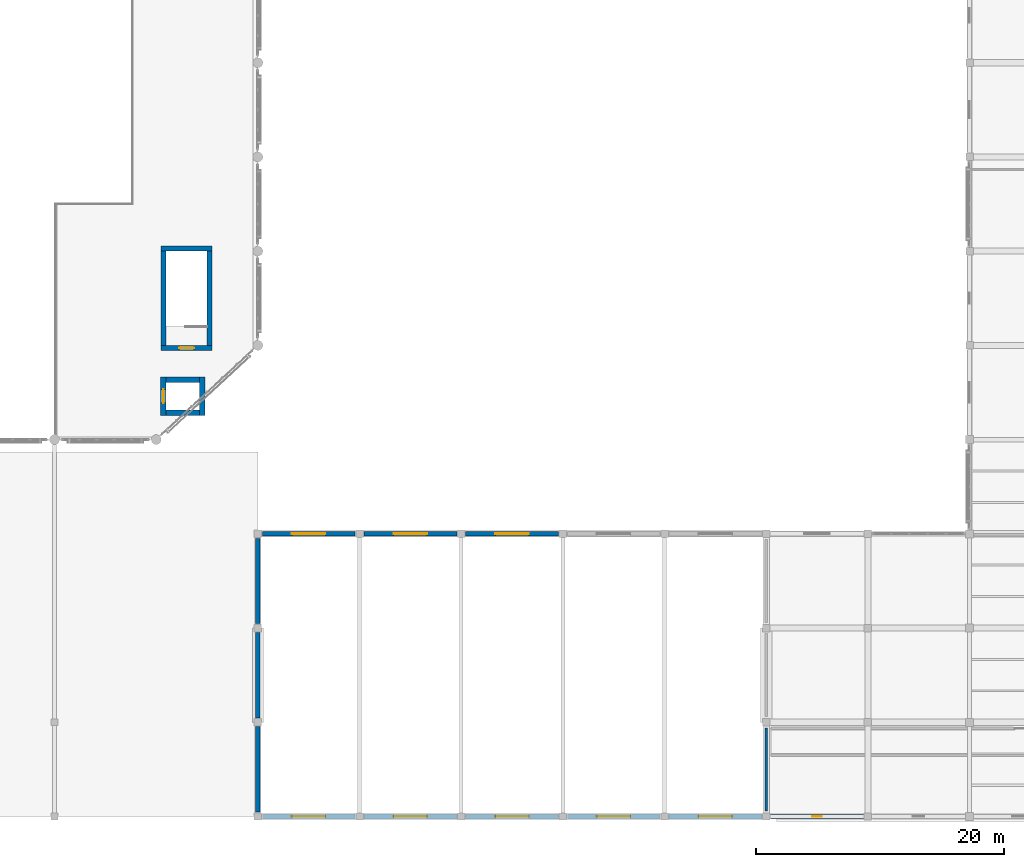
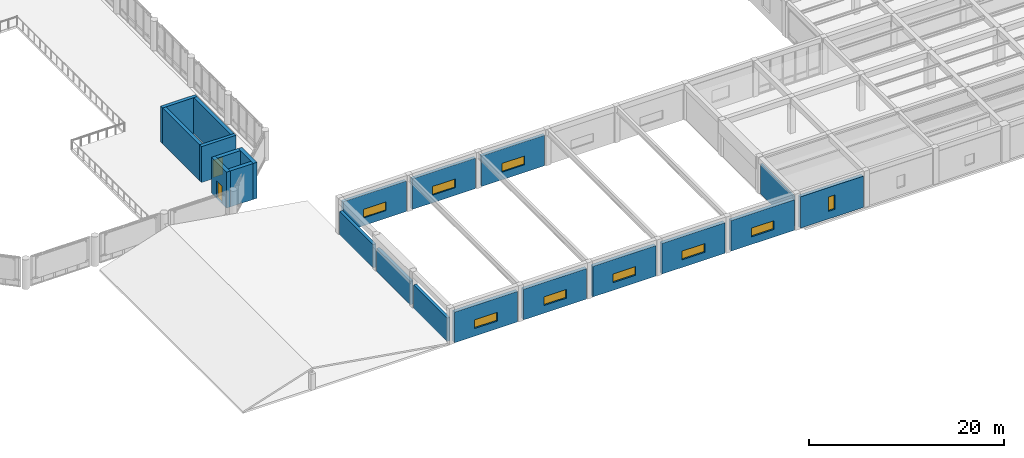
# One storey, part 34 of 49: 21 walls, 9 windows, 2 doors, 11 openings.
"""IFC4 building model written with IfcOpenShell, lengths in metres."""

from ifc_helpers import new_model, si_unit, direction, frame, frame_2d, origin, place, context, subcontext, project, spatial, rectangle, extrude, material, layer, layer_set, type_object, element, fill, save


model = new_model("IFC4")

# Units and contexts
model_context = context("Model", 3, precision=1e-05, world=origin(), true_north=direction((0.0, 1.0)))
body_context = subcontext(model_context, "Body", "Model", "MODEL_VIEW")
ifc_project = project(units=[si_unit("LENGTHUNIT", "METRE"), si_unit("AREAUNIT", "SQUARE_METRE"), si_unit("VOLUMEUNIT", "CUBIC_METRE"), si_unit("PLANEANGLEUNIT", "RADIAN"), si_unit("MASSUNIT", "GRAM", prefix="KILO")], contexts=[model_context])

# Site, building, storey
site_placement = place(None, origin())
site = spatial("IfcSite", under=ifc_project, at=site_placement, CompositionType="ELEMENT")
building_placement = place(site_placement, origin())
building = spatial("IfcBuilding", under=site, at=building_placement, Name="Qandaris Square Conservatory and Botanical Centre", CompositionType="ELEMENT")
storey_placement = place(building_placement, frame((0.0, 0.0, 10.199951171875)))
storey = spatial("IfcBuildingStorey", under=building, at=storey_placement, Name="L02", CompositionType="ELEMENT", Elevation=10.199951171875)

# Wall, opening, window
ifc_material_1 = material(Name="Precast concrete C40/50", Category="concrete")
ifc_layer_1 = layer(ifc_material_1, 0.360107421875)
ifc_layer_set_1 = layer_set([ifc_layer_1], Name="Precast concrete C40/50")
wall_type_1 = type_object("IfcWallType", Name="Architectural Precast Cladding Wall 360mm", PredefinedType="SOLIDWALL", material=ifc_layer_set_1)
wall_1_placement = place(storey_placement, frame((81.43994140625, 39.39990234375, 0.0), z_axis=(0.0, 0.0, 1.0), x_axis=(-1.0, 0.0, 0.0)))
wall_1 = element("IfcWall", 1, at=wall_1_placement, inside=storey, type_object=wall_type_1, Name="Exterior Wall EW-V2-L02-3-3", PredefinedType="SOLIDWALL", context=body_context, shape_type="SweptSolid", body=[
    extrude(rectangle(XDim=7.47998046875, YDim=0.360107421875, at=frame_2d((3.739990234375, 0.0))), origin(), (0.0, 0.0, 1.0), 3.830078125),
])
opening_1_placement = place(wall_1_placement, frame((2.389892578125, 0.0, 0.949951171875)))
opening_1 = element("IfcOpeningElement", 2, at=opening_1_placement, cuts=wall_1, Name="Opening WN-06", PredefinedType="OPENING", context=body_context, shape_type="SweptSolid", body=[
    extrude(rectangle(XDim=2.699951171875, YDim=1.10009765625, at=frame_2d((1.35009765625, 0.550048828125))), frame((0.0, 0.19189453125, 0.0), z_axis=(0.0, -1.0, 0.0), x_axis=(1.0, 0.0, 0.0)), (0.0, 0.0, 1.0), 0.384033203125),
])
ifc_material_2 = material(Name="Tempered Low-E Glass", Category="glass")
window_type_1 = type_object("IfcWindowType", Name="Podium Clerestory Window 2700x1100", PartitioningType="DOUBLE_PANEL_HORIZONTAL", PredefinedType="WINDOW", material=ifc_material_2)
window_1_placement = place(opening_1_placement, origin())
window_1 = element("IfcWindow", 3, at=window_1_placement, inside=storey, type_object=window_type_1, Name="Window EW-V2-L02-3-3", OverallHeight=1.10009765625, OverallWidth=2.699951171875, PartitioningType="DOUBLE_PANEL_HORIZONTAL", PredefinedType="WINDOW", context=body_context, shape_type="SweptSolid", body=[
    extrude(rectangle(XDim=2.699951171875, YDim=1.10009765625, at=frame_2d((1.35009765625, 0.550048828125))), frame((0.0, 0.030029296875, 0.0), z_axis=(0.0, -1.0, 0.0), x_axis=(1.0, 0.0, 0.0)), (0.0, 0.0, 1.0), 0.06005859375),
])
fill(opening_1, window_1)

wall_2_placement = place(storey_placement, frame((73.239990234375, 39.39990234375, 0.0), z_axis=(0.0, 0.0, 1.0), x_axis=(-1.0, 0.0, 0.0)))
wall_2 = element("IfcWall", 4, at=wall_2_placement, inside=storey, type_object=wall_type_1, Name="Exterior Wall EW-V2-L02-3-4", PredefinedType="SOLIDWALL", context=body_context, shape_type="SweptSolid", body=[
    extrude(rectangle(XDim=7.47998046875, YDim=0.360107421875, at=frame_2d((3.739990234375, 0.0))), origin(), (0.0, 0.0, 1.0), 3.830078125),
])
opening_2_placement = place(wall_2_placement, frame((2.389892578125, 0.0, 0.949951171875)))
opening_2 = element("IfcOpeningElement", 5, at=opening_2_placement, cuts=wall_2, Name="Opening WN-06", PredefinedType="OPENING", context=body_context, shape_type="SweptSolid", body=[
    extrude(rectangle(XDim=2.699951171875, YDim=1.10009765625, at=frame_2d((1.35009765625, 0.550048828125))), frame((0.0, 0.19189453125, 0.0), z_axis=(0.0, -1.0, 0.0), x_axis=(1.0, 0.0, 0.0)), (0.0, 0.0, 1.0), 0.384033203125),
])
window_2_placement = place(opening_2_placement, origin())
window_2 = element("IfcWindow", 6, at=window_2_placement, inside=storey, type_object=window_type_1, Name="Window EW-V2-L02-3-4", OverallHeight=1.10009765625, OverallWidth=2.699951171875, PartitioningType="DOUBLE_PANEL_HORIZONTAL", PredefinedType="WINDOW", context=body_context, shape_type="SweptSolid", body=[
    extrude(rectangle(XDim=2.699951171875, YDim=1.10009765625, at=frame_2d((1.35009765625, 0.550048828125))), frame((0.0, 0.030029296875, 0.0), z_axis=(0.0, -1.0, 0.0), x_axis=(1.0, 0.0, 0.0)), (0.0, 0.0, 1.0), 0.06005859375),
])
fill(opening_2, window_2)

wall_3_placement = place(storey_placement, frame((65.0400390625, 39.39990234375, 0.0), z_axis=(0.0, 0.0, 1.0), x_axis=(-1.0, 0.0, 0.0)))
wall_3 = element("IfcWall", 7, at=wall_3_placement, inside=storey, type_object=wall_type_1, Name="Exterior Wall EW-V2-L02-3-5", PredefinedType="SOLIDWALL", context=body_context, shape_type="SweptSolid", body=[
    extrude(rectangle(XDim=7.47998046875, YDim=0.360107421875, at=frame_2d((3.739990234375, 0.0))), origin(), (0.0, 0.0, 1.0), 3.830078125),
])
opening_3_placement = place(wall_3_placement, frame((2.389892578125, 0.0, 0.949951171875)))
opening_3 = element("IfcOpeningElement", 8, at=opening_3_placement, cuts=wall_3, Name="Opening WN-06", PredefinedType="OPENING", context=body_context, shape_type="SweptSolid", body=[
    extrude(rectangle(XDim=2.699951171875, YDim=1.10009765625, at=frame_2d((1.35009765625, 0.550048828125))), frame((0.0, 0.19189453125, 0.0), z_axis=(0.0, -1.0, 0.0), x_axis=(1.0, 0.0, 0.0)), (0.0, 0.0, 1.0), 0.384033203125),
])
window_3_placement = place(opening_3_placement, origin())
window_3 = element("IfcWindow", 9, at=window_3_placement, inside=storey, type_object=window_type_1, Name="Window EW-V2-L02-3-5", OverallHeight=1.10009765625, OverallWidth=2.699951171875, PartitioningType="DOUBLE_PANEL_HORIZONTAL", PredefinedType="WINDOW", context=body_context, shape_type="SweptSolid", body=[
    extrude(rectangle(XDim=2.699951171875, YDim=1.10009765625, at=frame_2d((1.35009765625, 0.550048828125))), frame((0.0, 0.030029296875, 0.0), z_axis=(0.0, -1.0, 0.0), x_axis=(1.0, 0.0, 0.0)), (0.0, 0.0, 1.0), 0.06005859375),
])
fill(opening_3, window_3)

# Walls
wall_4_placement = place(storey_placement, frame((57.199951171875, 39.0400390625, 0.0), z_axis=(0.0, 0.0, 1.0), x_axis=(0.0, -1.0, 0.0)))
element("IfcWall", 10, at=wall_4_placement, inside=storey, type_object=wall_type_1, Name="Exterior Wall EW-V2-L02-4-1", PredefinedType="SOLIDWALL", context=body_context, shape_type="SweptSolid", body=[
    extrude(rectangle(XDim=6.880126953125, YDim=0.360107421875, at=frame_2d((3.43994140625, 0.0))), origin(), (0.0, 0.0, 1.0), 2.929931640625),
])
wall_5_placement = place(storey_placement, frame((57.199951171875, 31.43994140625, 0.0), z_axis=(0.0, 0.0, 1.0), x_axis=(0.0, -1.0, 0.0)))
element("IfcWall", 11, at=wall_5_placement, inside=storey, type_object=wall_type_1, Name="Exterior Wall EW-V2-L02-4-2", PredefinedType="SOLIDWALL", context=body_context, shape_type="SweptSolid", body=[
    extrude(rectangle(XDim=6.8798828125, YDim=0.360107421875, at=frame_2d((3.43994140625, 0.0))), origin(), (0.0, 0.0, 1.0), 2.929931640625),
])
wall_6_placement = place(storey_placement, frame((57.199951171875, 23.840087890625, 0.0), z_axis=(0.0, 0.0, 1.0), x_axis=(0.0, -1.0, 0.0)))
element("IfcWall", 12, at=wall_6_placement, inside=storey, type_object=wall_type_1, Name="Exterior Wall EW-V2-L02-4-3", PredefinedType="SOLIDWALL", context=body_context, shape_type="SweptSolid", body=[
    extrude(rectangle(XDim=6.880126953125, YDim=0.360107421875, at=frame_2d((3.43994140625, 0.0))), origin(), (0.0, 0.0, 1.0), 2.929931640625),
])
ifc_material_3 = material(Name="Concrete C40/50", Category="concrete")
ifc_layer_2 = layer(ifc_material_3, 0.199951171875)
ifc_layer_set_2 = layer_set([ifc_layer_2], Name="Concrete C40/50")
wall_type_2 = type_object("IfcWallType", Name="Herbarium & Plant Compartment Wall 200mm", PredefinedType="PARTITIONING", material=ifc_layer_set_2)
wall_7_placement = place(storey_placement, frame((98.199951171875, 17.050048828125, 0.0), z_axis=(0.0, 0.0, 1.0), x_axis=(0.0, 1.0, 0.0)))
element("IfcWall", 13, at=wall_7_placement, inside=storey, type_object=wall_type_2, Name="Compartment Wall PW-V2V4-L02-1", PredefinedType="PARTITIONING", context=body_context, shape_type="SweptSolid", body=[
    extrude(rectangle(XDim=6.699951171875, YDim=0.199951171875, at=frame_2d((3.35009765625, 0.0))), origin(), (0.0, 0.0, 1.0), 3.795166015625),
])

# Wall, opening, window
ifc_layer_3 = layer(ifc_material_3, 0.419921875)
ifc_layer_set_3 = layer_set([ifc_layer_3], Name="Concrete C40/50")
wall_type_3 = type_object("IfcWallType", Name="Insulated Qatari Limestone Cavity Wall 420mm", PredefinedType="SOLIDWALL", material=ifc_layer_set_3)
wall_8_placement = place(storey_placement, frame((57.56005859375, 16.60009765625, 0.0), z_axis=(0.0, 0.0, 1.0), x_axis=(1.0, 0.0, 0.0)))
wall_8 = element("IfcWall", 14, at=wall_8_placement, inside=storey, type_object=wall_type_3, Name="Exterior Wall EW-V2-L02-1-1", PredefinedType="SOLIDWALL", context=body_context, shape_type="SweptSolid", body=[
    extrude(rectangle(XDim=7.47998046875, YDim=0.419921875, at=frame_2d((3.739990234375, 0.0))), origin(), (0.0, 0.0, 1.0), 3.830078125),
])
opening_4_placement = place(wall_8_placement, frame((2.389892578125, 0.0, 0.949951171875)))
opening_4 = element("IfcOpeningElement", 15, at=opening_4_placement, cuts=wall_8, Name="Opening WN-06", PredefinedType="OPENING", context=body_context, shape_type="SweptSolid", body=[
    extrude(rectangle(XDim=2.699951171875, YDim=1.10009765625, at=frame_2d((1.35009765625, 0.550048828125))), frame((0.0, 0.221923828125, 0.0), z_axis=(0.0, -1.0, 0.0), x_axis=(1.0, 0.0, 0.0)), (0.0, 0.0, 1.0), 0.44384765625),
])
window_4_placement = place(opening_4_placement, origin())
window_4 = element("IfcWindow", 16, at=window_4_placement, inside=storey, type_object=window_type_1, Name="Window EW-V2-L02-1-1", OverallHeight=1.10009765625, OverallWidth=2.699951171875, PartitioningType="DOUBLE_PANEL_HORIZONTAL", PredefinedType="WINDOW", context=body_context, shape_type="SweptSolid", body=[
    extrude(rectangle(XDim=2.699951171875, YDim=1.10009765625, at=frame_2d((1.35009765625, 0.550048828125))), frame((0.0, 0.030029296875, 0.0), z_axis=(0.0, -1.0, 0.0), x_axis=(1.0, 0.0, 0.0)), (0.0, 0.0, 1.0), 0.06005859375),
])
fill(opening_4, window_4)

wall_9_placement = place(storey_placement, frame((65.760009765625, 16.60009765625, 0.0), z_axis=(0.0, 0.0, 1.0), x_axis=(1.0, 0.0, 0.0)))
wall_9 = element("IfcWall", 17, at=wall_9_placement, inside=storey, type_object=wall_type_3, Name="Exterior Wall EW-V2-L02-1-2", PredefinedType="SOLIDWALL", context=body_context, shape_type="SweptSolid", body=[
    extrude(rectangle(XDim=7.47998046875, YDim=0.419921875, at=frame_2d((3.739990234375, 0.0))), origin(), (0.0, 0.0, 1.0), 3.830078125),
])
opening_5_placement = place(wall_9_placement, frame((2.389892578125, 0.0, 0.949951171875)))
opening_5 = element("IfcOpeningElement", 18, at=opening_5_placement, cuts=wall_9, Name="Opening WN-06", PredefinedType="OPENING", context=body_context, shape_type="SweptSolid", body=[
    extrude(rectangle(XDim=2.699951171875, YDim=1.10009765625, at=frame_2d((1.35009765625, 0.550048828125))), frame((0.0, 0.221923828125, 0.0), z_axis=(0.0, -1.0, 0.0), x_axis=(1.0, 0.0, 0.0)), (0.0, 0.0, 1.0), 0.44384765625),
])
window_5_placement = place(opening_5_placement, origin())
window_5 = element("IfcWindow", 19, at=window_5_placement, inside=storey, type_object=window_type_1, Name="Window EW-V2-L02-1-2", OverallHeight=1.10009765625, OverallWidth=2.699951171875, PartitioningType="DOUBLE_PANEL_HORIZONTAL", PredefinedType="WINDOW", context=body_context, shape_type="SweptSolid", body=[
    extrude(rectangle(XDim=2.699951171875, YDim=1.10009765625, at=frame_2d((1.35009765625, 0.550048828125))), frame((0.0, 0.030029296875, 0.0), z_axis=(0.0, -1.0, 0.0), x_axis=(1.0, 0.0, 0.0)), (0.0, 0.0, 1.0), 0.06005859375),
])
fill(opening_5, window_5)

wall_10_placement = place(storey_placement, frame((73.9599609375, 16.60009765625, 0.0), z_axis=(0.0, 0.0, 1.0), x_axis=(1.0, 0.0, 0.0)))
wall_10 = element("IfcWall", 20, at=wall_10_placement, inside=storey, type_object=wall_type_3, Name="Exterior Wall EW-V2-L02-1-3", PredefinedType="SOLIDWALL", context=body_context, shape_type="SweptSolid", body=[
    extrude(rectangle(XDim=7.47998046875, YDim=0.419921875, at=frame_2d((3.739990234375, 0.0))), origin(), (0.0, 0.0, 1.0), 3.830078125),
])
opening_6_placement = place(wall_10_placement, frame((2.389892578125, 0.0, 0.949951171875)))
opening_6 = element("IfcOpeningElement", 21, at=opening_6_placement, cuts=wall_10, Name="Opening WN-06", PredefinedType="OPENING", context=body_context, shape_type="SweptSolid", body=[
    extrude(rectangle(XDim=2.699951171875, YDim=1.10009765625, at=frame_2d((1.35009765625, 0.550048828125))), frame((0.0, 0.221923828125, 0.0), z_axis=(0.0, -1.0, 0.0), x_axis=(1.0, 0.0, 0.0)), (0.0, 0.0, 1.0), 0.44384765625),
])
window_6_placement = place(opening_6_placement, origin())
window_6 = element("IfcWindow", 22, at=window_6_placement, inside=storey, type_object=window_type_1, Name="Window EW-V2-L02-1-3", OverallHeight=1.10009765625, OverallWidth=2.699951171875, PartitioningType="DOUBLE_PANEL_HORIZONTAL", PredefinedType="WINDOW", context=body_context, shape_type="SweptSolid", body=[
    extrude(rectangle(XDim=2.699951171875, YDim=1.10009765625, at=frame_2d((1.35009765625, 0.550048828125))), frame((0.0, 0.030029296875, 0.0), z_axis=(0.0, -1.0, 0.0), x_axis=(1.0, 0.0, 0.0)), (0.0, 0.0, 1.0), 0.06005859375),
])
fill(opening_6, window_6)

wall_11_placement = place(storey_placement, frame((82.159912109375, 16.60009765625, 0.0), z_axis=(0.0, 0.0, 1.0), x_axis=(1.0, 0.0, 0.0)))
wall_11 = element("IfcWall", 23, at=wall_11_placement, inside=storey, type_object=wall_type_3, Name="Exterior Wall EW-V2-L02-1-4", PredefinedType="SOLIDWALL", context=body_context, shape_type="SweptSolid", body=[
    extrude(rectangle(XDim=7.47998046875, YDim=0.419921875, at=frame_2d((3.739990234375, 0.0))), origin(), (0.0, 0.0, 1.0), 3.830078125),
])
opening_7_placement = place(wall_11_placement, frame((2.389892578125, 0.0, 0.949951171875)))
opening_7 = element("IfcOpeningElement", 24, at=opening_7_placement, cuts=wall_11, Name="Opening WN-06", PredefinedType="OPENING", context=body_context, shape_type="SweptSolid", body=[
    extrude(rectangle(XDim=2.699951171875, YDim=1.10009765625, at=frame_2d((1.35009765625, 0.550048828125))), frame((0.0, 0.221923828125, 0.0), z_axis=(0.0, -1.0, 0.0), x_axis=(1.0, 0.0, 0.0)), (0.0, 0.0, 1.0), 0.44384765625),
])
window_7_placement = place(opening_7_placement, origin())
window_7 = element("IfcWindow", 25, at=window_7_placement, inside=storey, type_object=window_type_1, Name="Window EW-V2-L02-1-4", OverallHeight=1.10009765625, OverallWidth=2.699951171875, PartitioningType="DOUBLE_PANEL_HORIZONTAL", PredefinedType="WINDOW", context=body_context, shape_type="SweptSolid", body=[
    extrude(rectangle(XDim=2.699951171875, YDim=1.10009765625, at=frame_2d((1.35009765625, 0.550048828125))), frame((0.0, 0.030029296875, 0.0), z_axis=(0.0, -1.0, 0.0), x_axis=(1.0, 0.0, 0.0)), (0.0, 0.0, 1.0), 0.06005859375),
])
fill(opening_7, window_7)

wall_12_placement = place(storey_placement, frame((90.360107421875, 16.60009765625, 0.0), z_axis=(0.0, 0.0, 1.0), x_axis=(1.0, 0.0, 0.0)))
wall_12 = element("IfcWall", 26, at=wall_12_placement, inside=storey, type_object=wall_type_3, Name="Exterior Wall EW-V2-L02-1-5", PredefinedType="SOLIDWALL", context=body_context, shape_type="SweptSolid", body=[
    extrude(rectangle(XDim=7.47998046875, YDim=0.419921875, at=frame_2d((3.739990234375, 0.0))), origin(), (0.0, 0.0, 1.0), 3.830078125),
])
opening_8_placement = place(wall_12_placement, frame((2.389892578125, 0.0, 0.949951171875)))
opening_8 = element("IfcOpeningElement", 27, at=opening_8_placement, cuts=wall_12, Name="Opening WN-06", PredefinedType="OPENING", context=body_context, shape_type="SweptSolid", body=[
    extrude(rectangle(XDim=2.699951171875, YDim=1.10009765625, at=frame_2d((1.35009765625, 0.550048828125))), frame((0.0, 0.221923828125, 0.0), z_axis=(0.0, -1.0, 0.0), x_axis=(1.0, 0.0, 0.0)), (0.0, 0.0, 1.0), 0.44384765625),
])
window_8_placement = place(opening_8_placement, origin())
window_8 = element("IfcWindow", 28, at=window_8_placement, inside=storey, type_object=window_type_1, Name="Window EW-V2-L02-1-5", OverallHeight=1.10009765625, OverallWidth=2.699951171875, PartitioningType="DOUBLE_PANEL_HORIZONTAL", PredefinedType="WINDOW", context=body_context, shape_type="SweptSolid", body=[
    extrude(rectangle(XDim=2.699951171875, YDim=1.10009765625, at=frame_2d((1.35009765625, 0.550048828125))), frame((0.0, 0.030029296875, 0.0), z_axis=(0.0, -1.0, 0.0), x_axis=(1.0, 0.0, 0.0)), (0.0, 0.0, 1.0), 0.06005859375),
])
fill(opening_8, window_8)

wall_13_placement = place(storey_placement, frame((98.56005859375, 16.60009765625, 0.0), z_axis=(0.0, 0.0, 1.0), x_axis=(1.0, 0.0, 0.0)))
wall_13 = element("IfcWall", 29, at=wall_13_placement, inside=storey, type_object=wall_type_3, Name="Exterior Wall EW-TWR-L02-1-1", PredefinedType="SOLIDWALL", context=body_context, shape_type="SweptSolid", body=[
    extrude(rectangle(XDim=7.47998046875, YDim=0.419921875, at=frame_2d((3.739990234375, 0.0))), origin(), (0.0, 0.0, 1.0), 3.929931640625),
])
opening_9_placement = place(wall_13_placement, frame((3.364990234375, 0.0, 0.949951171875)))
opening_9 = element("IfcOpeningElement", 30, at=opening_9_placement, cuts=wall_13, Name="Opening WN-03", PredefinedType="OPENING", context=body_context, shape_type="SweptSolid", body=[
    extrude(rectangle(XDim=0.75, YDim=1.800048828125, at=frame_2d((0.375, 0.89990234375))), frame((0.0, 0.221923828125, 0.0), z_axis=(0.0, -1.0, 0.0), x_axis=(1.0, 0.0, 0.0)), (0.0, 0.0, 1.0), 0.44384765625),
])
window_type_2 = type_object("IfcWindowType", Name="Herbarium UV-Filtered Slot Window 750x1800", PartitioningType="SINGLE_PANEL", PredefinedType="WINDOW", material=ifc_material_2)
window_9_placement = place(opening_9_placement, origin())
window_9 = element("IfcWindow", 31, at=window_9_placement, inside=storey, type_object=window_type_2, Name="Window EW-TWR-L02-1-1", OverallHeight=1.800048828125, OverallWidth=0.75, PartitioningType="SINGLE_PANEL", PredefinedType="WINDOW", context=body_context, shape_type="SweptSolid", body=[
    extrude(rectangle(XDim=0.75, YDim=1.800048828125, at=frame_2d((0.375, 0.89990234375))), frame((0.0, 0.030029296875, 0.0), z_axis=(0.0, -1.0, 0.0), x_axis=(1.0, 0.0, 0.0)), (0.0, 0.0, 1.0), 0.06005859375),
])
fill(opening_9, window_9)

# Walls
ifc_material_4 = material(Name="Concrete C50/60", Category="concrete")
ifc_layer_4 = layer(ifc_material_4, 0.449951171875)
ifc_layer_set_4 = layer_set([ifc_layer_4], Name="Concrete C50/60")
wall_type_4 = type_object("IfcWallType", Name="RC Coupled Core Shear Wall 450mm", PredefinedType="SHEAR", material=ifc_layer_set_4)
for number, where, z_axis, x_axis, name in (
    (32, (49.800048828125, 49.175048828125, 0.0), (0.0, 0.0, 1.0), (1.0, 0.0, 0.0), "Lift CL1 Shaft Wall South (L02)"),
    (33, (49.800048828125, 51.824951171875, 0.0), (0.0, 0.0, 1.0), (1.0, 0.0, 0.0), "Lift CL1 Shaft Wall North (L02)"),
):
    element("IfcWall", number, at=place(storey_placement, frame(where, z_axis=z_axis, x_axis=x_axis)), inside=storey, type_object=wall_type_4, Name=name, PredefinedType="SHEAR", context=body_context, shape_type="SweptSolid", body=[
        extrude(rectangle(XDim=2.699951171875, YDim=0.449951171875, at=frame_2d((1.35009765625, 0.0))), origin(), (0.0, 0.0, 1.0), 4.510009765625),
    ])

# Wall, opening, door
wall_14_placement = place(storey_placement, frame((49.574951171875, 48.949951171875, 0.0), z_axis=(0.0, 0.0, 1.0), x_axis=(0.0, 1.0, 0.0)))
wall_14 = element("IfcWall", 34, at=wall_14_placement, inside=storey, type_object=wall_type_4, Name="Lift CL1 Shaft Wall West (L02)", PredefinedType="SHEAR", context=body_context, shape_type="SweptSolid", body=[
    extrude(rectangle(XDim=3.10009765625, YDim=0.449951171875, at=frame_2d((1.550048828125, 0.0))), origin(), (0.0, 0.0, 1.0), 4.510009765625),
])
opening_10_placement = place(wall_14_placement, frame((1.0, 0.0, 0.0)))
opening_10 = element("IfcOpeningElement", 35, at=opening_10_placement, cuts=wall_14, Name="Opening LD-PAX", PredefinedType="OPENING", context=body_context, shape_type="SweptSolid", body=[
    extrude(rectangle(XDim=1.10009765625, YDim=2.199951171875, at=frame_2d((0.550048828125, 1.10009765625))), frame((0.0, 0.23681640625, 0.0), z_axis=(0.0, -1.0, 0.0), x_axis=(1.0, 0.0, 0.0)), (0.0, 0.0, 1.0), 0.473876953125),
])
ifc_material_5 = material(Name="Anodised Aluminium", Category="aluminium")
door_type_1 = type_object("IfcDoorType", Name="Passenger Lift Sliding Landing Door 1100x2200", OperationType="DOUBLE_DOOR_SLIDING", PredefinedType="DOOR", material=ifc_material_5)
door_1_placement = place(opening_10_placement, origin())
door_1 = element("IfcDoor", 36, at=door_1_placement, inside=storey, type_object=door_type_1, Name="DR-0147 Lift CL1 Landing Door (L02)", OperationType="DOUBLE_DOOR_SLIDING", OverallHeight=2.199951171875, OverallWidth=1.10009765625, PredefinedType="DOOR", context=body_context, shape_type="SweptSolid", body=[
    extrude(rectangle(XDim=1.10009765625, YDim=2.199951171875, at=frame_2d((0.550048828125, 1.10009765625))), frame((0.0, 0.02490234375, 0.0), z_axis=(0.0, -1.0, 0.0), x_axis=(1.0, 0.0, 0.0)), (0.0, 0.0, 1.0), 0.050048828125),
])
fill(opening_10, door_1)

# Wall
wall_15_placement = place(storey_placement, frame((52.72509765625, 48.949951171875, 0.0), z_axis=(0.0, 0.0, 1.0), x_axis=(0.0, 1.0, 0.0)))
element("IfcWall", 37, at=wall_15_placement, inside=storey, type_object=wall_type_4, Name="Lift CL1 Shaft Wall East (L02)", PredefinedType="SHEAR", context=body_context, shape_type="SweptSolid", body=[
    extrude(rectangle(XDim=3.10009765625, YDim=0.449951171875, at=frame_2d((1.550048828125, 0.0))), origin(), (0.0, 0.0, 1.0), 4.510009765625),
])

# Wall, opening, door
ifc_layer_5 = layer(ifc_material_4, 0.39990234375)
ifc_layer_set_5 = layer_set([ifc_layer_5], Name="Concrete C50/60")
wall_type_5 = type_object("IfcWallType", Name="RC Stair Core Shear Wall 400mm", PredefinedType="SHEAR", material=ifc_layer_set_5)
wall_16_placement = place(storey_placement, frame((49.39990234375, 54.39990234375, 0.0), z_axis=(0.0, 0.0, 1.0), x_axis=(1.0, 0.0, 0.0)))
wall_16 = element("IfcWall", 38, at=wall_16_placement, inside=storey, type_object=wall_type_5, Name="ST-5 Core Shear Wall South (L02)", PredefinedType="SHEAR", context=body_context, shape_type="SweptSolid", body=[
    extrude(rectangle(XDim=4.10009765625, YDim=0.39990234375, at=frame_2d((2.050048828125, 0.0))), origin(), (0.0, 0.0, 1.0), 4.510009765625),
])
opening_11_placement = place(wall_16_placement, frame((1.449951171875, 0.0, 0.0)))
opening_11 = element("IfcOpeningElement", 39, at=opening_11_placement, cuts=wall_16, Name="Opening D-ST1", PredefinedType="OPENING", context=body_context, shape_type="SweptSolid", body=[
    extrude(rectangle(XDim=1.199951171875, YDim=2.199951171875, at=frame_2d((0.60009765625, 1.10009765625))), frame((0.0, 0.2119140625, 0.0), z_axis=(0.0, -1.0, 0.0), x_axis=(1.0, 0.0, 0.0)), (0.0, 0.0, 1.0), 0.423828125),
])
ifc_material_6 = material(Name="Steel S355", Category="steel")
door_type_2 = type_object("IfcDoorType", Name="Exit Stair Core Fire Door 1200x2200", OperationType="NOTDEFINED", PredefinedType="DOOR", material=ifc_material_6)
door_2_placement = place(opening_11_placement, origin())
door_2 = element("IfcDoor", 40, at=door_2_placement, inside=storey, type_object=door_type_2, Name="DR-0139 ST-5 Stair Core Door (L02)", OperationType="SINGLE_SWING_LEFT", OverallHeight=2.199951171875, OverallWidth=1.199951171875, PredefinedType="DOOR", context=body_context, shape_type="SweptSolid", body=[
    extrude(rectangle(XDim=1.199951171875, YDim=2.199951171875, at=frame_2d((0.60009765625, 1.10009765625))), frame((0.0, 0.02490234375, 0.0), z_axis=(0.0, -1.0, 0.0), x_axis=(1.0, 0.0, 0.0)), (0.0, 0.0, 1.0), 0.050048828125),
])
fill(opening_11, door_2)

# Walls
wall_17_placement = place(storey_placement, frame((49.39990234375, 62.39990234375, 0.0), z_axis=(0.0, 0.0, 1.0), x_axis=(1.0, 0.0, 0.0)))
element("IfcWall", 41, at=wall_17_placement, inside=storey, type_object=wall_type_5, Name="ST-5 Core Shear Wall North (L02)", PredefinedType="SHEAR", context=body_context, shape_type="SweptSolid", body=[
    extrude(rectangle(XDim=4.10009765625, YDim=0.39990234375, at=frame_2d((2.050048828125, 0.0))), origin(), (0.0, 0.0, 1.0), 4.510009765625),
])
for number, where, z_axis, x_axis, name in (
    (42, (49.60009765625, 54.60009765625, 0.0), (0.0, 0.0, 1.0), (0.0, 1.0, 0.0), "ST-5 Core Shear Wall West (L02)"),
    (43, (53.300048828125, 54.60009765625, 0.0), (0.0, 0.0, 1.0), (0.0, 1.0, 0.0), "ST-5 Core Shear Wall East (L02)"),
):
    element("IfcWall", number, at=place(storey_placement, frame(where, z_axis=z_axis, x_axis=x_axis)), inside=storey, type_object=wall_type_5, Name=name, PredefinedType="SHEAR", context=body_context, shape_type="SweptSolid", body=[
        extrude(rectangle(XDim=7.599853515625, YDim=0.39990234375, at=frame_2d((3.7998046875, 0.0))), origin(), (0.0, 0.0, 1.0), 4.510009765625),
    ])

save(model, "model.ifc")
